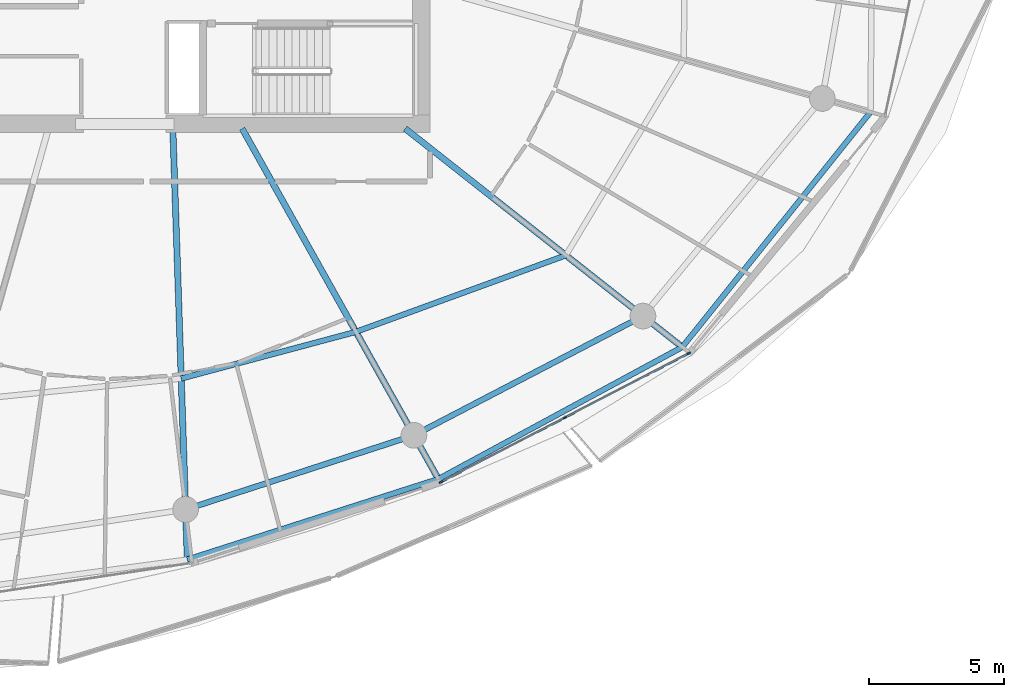
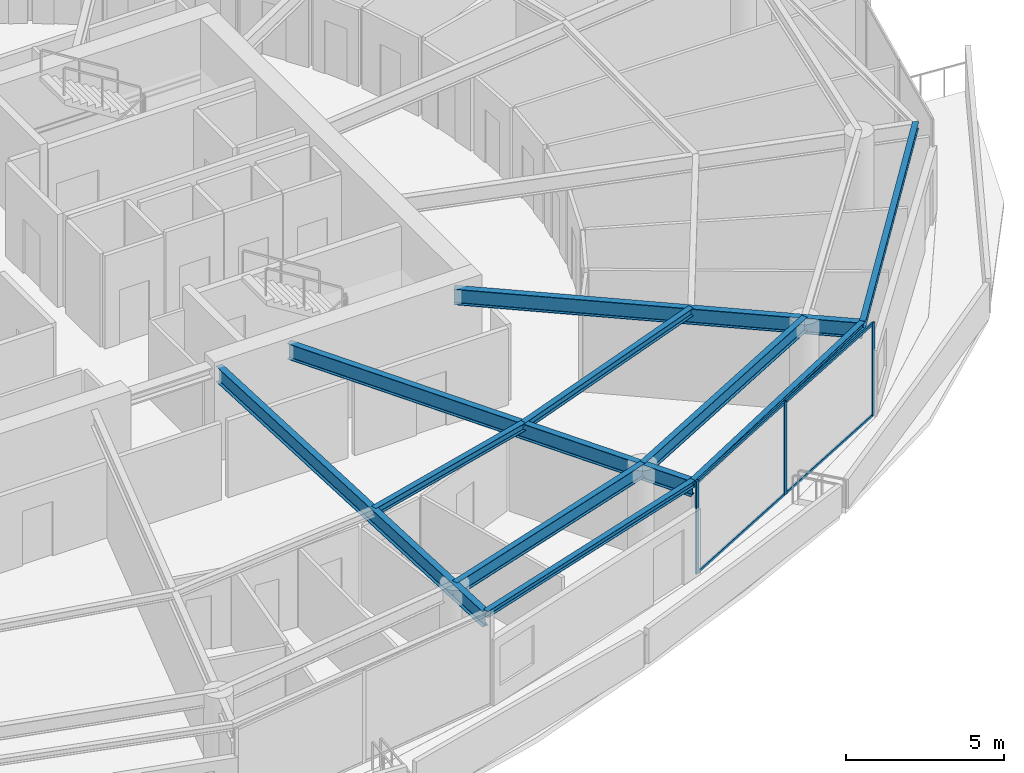
# One storey, part 10 of 31: 10 beams, 7 members, 1 element without a shape of its own.
"""IFC4 building model written with IfcOpenShell, lengths in metres."""

from ifc_helpers import new_model, si_unit, direction, frame, origin, origin_2d, place, context, subcontext, project, spatial, rectangle, i_section, extrude, material, layer, layer_set, material_profile, profile_set, type_object, element, aggregate, save


model = new_model("IFC4")

# Units and contexts
model_context = context("Model", 3, precision=1e-05, world=origin(), true_north=direction((0.0, 1.0)))
body_context = subcontext(model_context, "Body", "Model", "MODEL_VIEW")
ifc_project = project(units=[si_unit("LENGTHUNIT", "METRE"), si_unit("AREAUNIT", "SQUARE_METRE"), si_unit("VOLUMEUNIT", "CUBIC_METRE"), si_unit("PLANEANGLEUNIT", "RADIAN"), si_unit("MASSUNIT", "GRAM", prefix="KILO")], contexts=[model_context])

# Site, building, storey
site_placement = place(None, origin())
site = spatial("IfcSite", under=ifc_project, at=site_placement, CompositionType="ELEMENT")
building_placement = place(site_placement, origin())
building = spatial("IfcBuilding", under=site, at=building_placement, Name="Kazma Halo Residences", CompositionType="ELEMENT")
storey_placement = place(building_placement, frame((0.0, 0.0, 271.35009765625)))
storey = spatial("IfcBuildingStorey", under=building, at=storey_placement, Name="L68", CompositionType="ELEMENT", Elevation=271.35009765625)

# Beams
ifc_material_1 = material(Name="Steel S355", Category="steel")
ifc_material_profile_1 = material_profile(ifc_material_1, i_section(OverallWidth=0.201904296875, OverallDepth=0.2470703125, WebThickness=0.00732421875, FlangeThickness=0.010986328125, FilletRadius=0.011962890625, at=origin_2d()), Name="W250x49.1")
ifc_profile_set_1 = profile_set([ifc_material_profile_1], Name="Steel S355")
beam_type_1 = type_object("IfcBeamType", Name="BM-BAL-CANT", PredefinedType="BEAM", material=ifc_profile_set_1)
beam_1_placement = place(storey_placement, frame((50.7333984375, 17.580078125, 3.46630859375), z_axis=(0.952215866624, 0.305425839362, 0.0), x_axis=(-0.305425839362, 0.952215866624, 0.0)))
element("IfcBeam", 1, at=beam_1_placement, inside=storey, type_object=beam_type_1, Name="L68 wave-balcony tie beam 12", PredefinedType="BEAM", context=body_context, shape_type="SweptSolid", body=[
    extrude(i_section(OverallWidth=0.201904296875, OverallDepth=0.2470703125, WebThickness=0.00732421875, FlangeThickness=0.010986328125, FilletRadius=0.011962890625, at=origin_2d()), origin(), (0.0, 0.0, 1.0), 9.74169921875),
])
beam_2_placement = place(storey_placement, frame((60.009521484375, 20.555419921875, 3.46630859375), z_axis=(0.879517282036, 0.475866946321, 0.0), x_axis=(-0.475866946321, 0.879517282036, 0.0)))
element("IfcBeam", 2, at=beam_2_placement, inside=storey, type_object=beam_type_1, Name="L68 wave-balcony tie beam 13", PredefinedType="BEAM", context=body_context, shape_type="SweptSolid", body=[
    extrude(i_section(OverallWidth=0.201904296875, OverallDepth=0.2470703125, WebThickness=0.00732421875, FlangeThickness=0.010986328125, FilletRadius=0.011962890625, at=origin_2d()), origin(), (0.0, 0.0, 1.0), 10.243408203125),
])
beam_3_placement = place(storey_placement, frame((69.018798828125, 25.429931640625, 3.46630859375), z_axis=(0.625117912406, 0.780530329705, 0.0), x_axis=(-0.780530329705, 0.625117912406, 0.0)))
element("IfcBeam", 3, at=beam_3_placement, inside=storey, type_object=beam_type_1, Name="L68 wave-balcony tie beam 14", PredefinedType="BEAM", context=body_context, shape_type="SweptSolid", body=[
    extrude(i_section(OverallWidth=0.201904296875, OverallDepth=0.2470703125, WebThickness=0.00732421875, FlangeThickness=0.010986328125, FilletRadius=0.011962890625, at=origin_2d()), origin(), (0.0, 0.0, 1.0), 11.1220703125),
])
ifc_material_profile_2 = material_profile(ifc_material_1, i_section(OverallWidth=0.22802734375, OverallDepth=0.60791015625, WebThickness=0.01123046875, FlangeThickness=0.017333984375, FilletRadius=0.01806640625, at=origin_2d()), Name="W610x113")
ifc_profile_set_2 = profile_set([ifc_material_profile_2], Name="Steel S355")
beam_type_2 = type_object("IfcBeamType", Name="BM-RAD-W610", PredefinedType="BEAM", material=ifc_profile_set_2)
beam_4_placement = place(storey_placement, frame((50.199951171875, 33.5, 3.285888671875), z_axis=(0.03348936291, -0.999439073967, 0.0), x_axis=(0.999439073967, 0.03348936291, 0.0)))
element("IfcBeam", 4, at=beam_4_placement, inside=storey, type_object=beam_type_2, Name="L68 radial floor beam 12", PredefinedType="BEAM", context=body_context, shape_type="SweptSolid", body=[
    extrude(i_section(OverallWidth=0.22802734375, OverallDepth=0.60791015625, WebThickness=0.01123046875, FlangeThickness=0.017333984375, FilletRadius=0.01806640625, at=origin_2d()), origin(), (0.0, 0.0, 1.0), 15.928955078125),
])
beam_5_placement = place(storey_placement, frame((52.76025390625, 33.5, 3.285888671875), z_axis=(0.488618902548, -0.872497316943, 0.0), x_axis=(0.872497316943, 0.488618902548, 0.0)))
element("IfcBeam", 5, at=beam_5_placement, inside=storey, type_object=beam_type_2, Name="L68 radial floor beam 13", PredefinedType="BEAM", context=body_context, shape_type="SweptSolid", body=[
    extrude(i_section(OverallWidth=0.22802734375, OverallDepth=0.60791015625, WebThickness=0.01123046875, FlangeThickness=0.017333984375, FilletRadius=0.01806640625, at=origin_2d()), origin(), (0.0, 0.0, 1.0), 14.836181640625),
])
beam_6_placement = place(storey_placement, frame((58.7822265625, 33.5, 3.285888671875), z_axis=(0.785309266897, -0.619103670903, 0.0), x_axis=(0.619103670903, 0.785309266897, 0.0)))
element("IfcBeam", 6, at=beam_6_placement, inside=storey, type_object=beam_type_2, Name="L68 radial floor beam 14", PredefinedType="BEAM", context=body_context, shape_type="SweptSolid", body=[
    extrude(i_section(OverallWidth=0.22802734375, OverallDepth=0.60791015625, WebThickness=0.01123046875, FlangeThickness=0.017333984375, FilletRadius=0.01806640625, at=origin_2d()), origin(), (0.0, 0.0, 1.0), 13.03515625),
])
ifc_material_profile_3 = material_profile(ifc_material_1, i_section(OverallWidth=0.202880859375, OverallDepth=0.302978515625, WebThickness=0.007568359375, FlangeThickness=0.01318359375, FilletRadius=0.013916015625, at=origin_2d()), Name="W310x60")
ifc_profile_set_3 = profile_set([ifc_material_profile_3], Name="Steel S355")
beam_type_3 = type_object("IfcBeamType", Name="BM-SEC-W310A", PredefinedType="JOIST", material=ifc_profile_set_3)
beam_7_placement = place(storey_placement, frame((50.50927734375, 24.2666015625, 3.4384765625), z_axis=(0.966079519115, 0.258244772932, 0.0), x_axis=(-0.258244772932, 0.966079519115, 0.0)))
element("IfcBeam", 7, at=beam_7_placement, inside=storey, type_object=beam_type_3, Name="L68 circumferential floor joist 12", PredefinedType="JOIST", context=body_context, shape_type="SweptSolid", body=[
    extrude(i_section(OverallWidth=0.202880859375, OverallDepth=0.302978515625, WebThickness=0.007568359375, FlangeThickness=0.01318359375, FilletRadius=0.013916015625, at=origin_2d()), origin(), (0.0, 0.0, 1.0), 6.681884765625),
])
beam_8_placement = place(storey_placement, frame((56.964599609375, 25.9921875, 3.4384765625), z_axis=(0.93951330561, 0.342512406465, 0.0), x_axis=(-0.342512406465, 0.93951330561, 0.0)))
element("IfcBeam", 8, at=beam_8_placement, inside=storey, type_object=beam_type_3, Name="L68 circumferential floor joist 13", PredefinedType="JOIST", context=body_context, shape_type="SweptSolid", body=[
    extrude(i_section(OverallWidth=0.202880859375, OverallDepth=0.302978515625, WebThickness=0.007568359375, FlangeThickness=0.01318359375, FilletRadius=0.013916015625, at=origin_2d()), origin(), (0.0, 0.0, 1.0), 8.254150390625),
])
ifc_material_profile_4 = material_profile(ifc_material_1, i_section(OverallWidth=0.208984375, OverallDepth=0.532958984375, WebThickness=0.01025390625, FlangeThickness=0.015625, FilletRadius=0.01611328125, at=origin_2d()), Name="W530x92")
ifc_profile_set_4 = profile_set([ifc_material_profile_4], Name="Steel S355")
beam_type_4 = type_object("IfcBeamType", Name="BM-SPN-W530", PredefinedType="BEAM", material=ifc_profile_set_4)
beam_9_placement = place(storey_placement, frame((50.67138671875, 19.42919921875, 3.323486328125), z_axis=(0.951053893407, 0.309025066679, 0.0), x_axis=(-0.309025066679, 0.951053893407, 0.0)))
element("IfcBeam", 9, at=beam_9_placement, inside=storey, type_object=beam_type_4, Name="L68 perimeter ring beam 12", PredefinedType="BEAM", context=body_context, shape_type="SweptSolid", body=[
    extrude(i_section(OverallWidth=0.208984375, OverallDepth=0.532958984375, WebThickness=0.01025390625, FlangeThickness=0.015625, FilletRadius=0.01611328125, at=origin_2d()), origin(), (0.0, 0.0, 1.0), 8.8681640625),
])
beam_10_placement = place(storey_placement, frame((59.10546875, 22.169677734375, 3.323486328125), z_axis=(0.886961047115, 0.461844238788, 0.0), x_axis=(-0.461844238788, 0.886961047115, 0.0)))
element("IfcBeam", 10, at=beam_10_placement, inside=storey, type_object=beam_type_4, Name="L68 perimeter ring beam 13", PredefinedType="BEAM", context=body_context, shape_type="SweptSolid", body=[
    extrude(i_section(OverallWidth=0.208984375, OverallDepth=0.532958984375, WebThickness=0.01025390625, FlangeThickness=0.015625, FilletRadius=0.01611328125, at=origin_2d()), origin(), (0.0, 0.0, 1.0), 9.5390625),
])

# Curtain wall, members
ifc_material_2 = material(Name="Aluminium AW-6063 T6 and Triple-Silver Low-E Glass", Category="aluminium")
ifc_layer = layer(ifc_material_2, 0.139892578125)
ifc_layer_set = layer_set([ifc_layer], Name="Aluminium AW-6063 T6 and Triple-Silver Low-E Glass")
curtain_wall_type = type_object("IfcCurtainWallType", Name="CW-SYS-5", PredefinedType="NOTDEFINED", material=ifc_layer_set)
curtain_wall_placement = place(storey_placement, origin())
curtain_wall = element("IfcCurtainWall", 11, at=curtain_wall_placement, inside=storey, type_object=curtain_wall_type, Name="L68 unitised curtain wall B13", PredefinedType="NOTDEFINED")
ifc_material_3 = material(Name="Aluminium AW-6063 T6", Category="aluminium")
ifc_material_profile_5 = material_profile(ifc_material_3, rectangle(XDim=0.06005859375, YDim=0.139892578125, at=origin_2d()), Name="CWM-60x140")
ifc_profile_set_5 = profile_set([ifc_material_profile_5], Name="Aluminium AW-6063 T6")
member_type_1 = type_object("IfcMemberType", Name="CW-SYS-5-MUL", PredefinedType="MULLION", material=ifc_profile_set_5)
member_1_placement = place(storey_placement, frame((60.105224609375, 20.446044921875, 0.0), z_axis=(0.0, 0.0, 1.0), x_axis=(-0.460960760804, 0.887420518694, 0.0)))
member_1 = element("IfcMember", 12, at=member_1_placement, type_object=member_type_1, Name="CWS-5 mullion 1", PredefinedType="MULLION", context=body_context, shape_type="SweptSolid", body=[
    extrude(rectangle(XDim=0.06005859375, YDim=0.139892578125, at=origin_2d()), origin(), (0.0, 0.0, 1.0), 3.58984375),
])
member_2_placement = place(storey_placement, frame((64.68408203125, 22.824462890625, 0.0), z_axis=(0.0, 0.0, 1.0), x_axis=(-0.460960760804, 0.887420518694, 0.0)))
member_2 = element("IfcMember", 13, at=member_2_placement, type_object=member_type_1, Name="CWS-5 mullion 2", PredefinedType="MULLION", context=body_context, shape_type="SweptSolid", body=[
    extrude(rectangle(XDim=0.06005859375, YDim=0.139892578125, at=origin_2d()), origin(), (0.0, 0.0, 1.0), 3.58984375),
])
member_3_placement = place(storey_placement, frame((69.262939453125, 25.202880859375, 0.0), z_axis=(0.0, 0.0, 1.0), x_axis=(-0.460960760804, 0.887420518694, 0.0)))
member_3 = element("IfcMember", 14, at=member_3_placement, type_object=member_type_1, Name="CWS-5 mullion 3", PredefinedType="MULLION", context=body_context, shape_type="SweptSolid", body=[
    extrude(rectangle(XDim=0.06005859375, YDim=0.139892578125, at=origin_2d()), origin(), (0.0, 0.0, 1.0), 3.58984375),
])
ifc_material_profile_6 = material_profile(ifc_material_3, rectangle(XDim=0.06005859375, YDim=0.10498046875, at=origin_2d()), Name="CWT-60x105")
ifc_profile_set_6 = profile_set([ifc_material_profile_6], Name="Aluminium AW-6063 T6")
member_type_2 = type_object("IfcMemberType", Name="CW-SYS-5-TRN", PredefinedType="USERDEFINED", material=ifc_profile_set_6)
member_4_placement = place(storey_placement, frame((60.1318359375, 20.4599609375, 0.02978515625), z_axis=(0.887436955863, 0.46092911534, 0.0), x_axis=(-0.46092911534, 0.887436955863, 0.0)))
member_4 = element("IfcMember", 15, at=member_4_placement, type_object=member_type_2, Name="CWS-5 transom 1.1", ObjectType="TRANSOM", PredefinedType="USERDEFINED", context=body_context, shape_type="SweptSolid", body=[
    extrude(rectangle(XDim=0.06005859375, YDim=0.10498046875, at=origin_2d()), origin(), (0.0, 0.0, 1.0), 5.099609375),
])
member_5_placement = place(storey_placement, frame((60.1318359375, 20.4599609375, 3.559814453125), z_axis=(0.887436955863, 0.46092911534, 0.0), x_axis=(-0.46092911534, 0.887436955863, 0.0)))
member_5 = element("IfcMember", 16, at=member_5_placement, type_object=member_type_2, Name="CWS-5 transom 1.2", ObjectType="TRANSOM", PredefinedType="USERDEFINED", context=body_context, shape_type="SweptSolid", body=[
    extrude(rectangle(XDim=0.06005859375, YDim=0.10498046875, at=origin_2d()), origin(), (0.0, 0.0, 1.0), 5.099609375),
])
member_6_placement = place(storey_placement, frame((64.710693359375, 22.83837890625, 0.02978515625), z_axis=(0.887436955863, 0.46092911534, 0.0), x_axis=(-0.46092911534, 0.887436955863, 0.0)))
member_6 = element("IfcMember", 17, at=member_6_placement, type_object=member_type_2, Name="CWS-5 transom 2.1", ObjectType="TRANSOM", PredefinedType="USERDEFINED", context=body_context, shape_type="SweptSolid", body=[
    extrude(rectangle(XDim=0.06005859375, YDim=0.10498046875, at=origin_2d()), origin(), (0.0, 0.0, 1.0), 5.099609375),
])
member_7_placement = place(storey_placement, frame((64.710693359375, 22.83837890625, 3.559814453125), z_axis=(0.887436955863, 0.46092911534, 0.0), x_axis=(-0.46092911534, 0.887436955863, 0.0)))
member_7 = element("IfcMember", 18, at=member_7_placement, type_object=member_type_2, Name="CWS-5 transom 2.2", ObjectType="TRANSOM", PredefinedType="USERDEFINED", context=body_context, shape_type="SweptSolid", body=[
    extrude(rectangle(XDim=0.06005859375, YDim=0.10498046875, at=origin_2d()), origin(), (0.0, 0.0, 1.0), 5.099609375),
])
aggregate(curtain_wall, [member_1, member_2, member_3, member_4, member_5, member_6, member_7])

save(model, "model.ifc")
